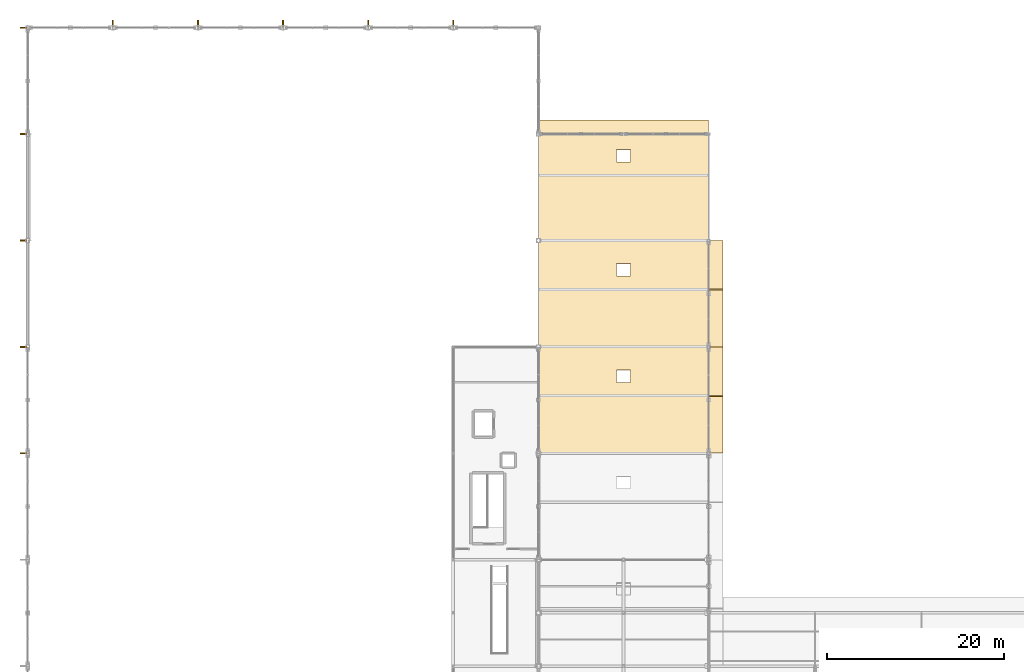
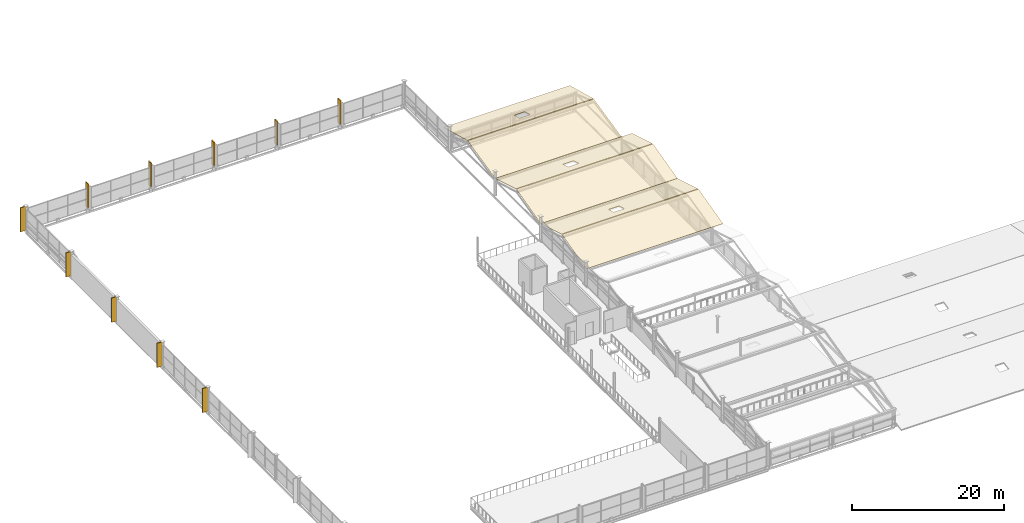
# One storey, part 116 of 117: 16 coverings.
"""IFC4 building model written with IfcOpenShell, lengths in metres."""

from ifc_helpers import new_model, si_unit, direction, frame, origin, place, context, subcontext, project, spatial, polyline, outline, extrude, material, layer, layer_set, type_object, element, save


model = new_model("IFC4")

# Units and contexts
model_context = context("Model", 3, precision=1e-05, world=origin(), true_north=direction((0.0, 1.0)))
body_context = subcontext(model_context, "Body", "Model", "MODEL_VIEW")
ifc_project = project(units=[si_unit("LENGTHUNIT", "METRE"), si_unit("AREAUNIT", "SQUARE_METRE"), si_unit("VOLUMEUNIT", "CUBIC_METRE"), si_unit("PLANEANGLEUNIT", "RADIAN"), si_unit("MASSUNIT", "GRAM", prefix="KILO")], contexts=[model_context])

# Site, building, storey
site_placement = place(None, origin())
site = spatial("IfcSite", under=ifc_project, at=site_placement, CompositionType="ELEMENT")
building_placement = place(site_placement, origin())
building = spatial("IfcBuilding", under=site, at=building_placement, Name="Merenkruunu Market Hall", CompositionType="ELEMENT")
storey_placement = place(building_placement, frame((0.0, 0.0, 10.199951171875)))
storey = spatial("IfcBuildingStorey", under=building, at=storey_placement, Name="L02", CompositionType="ELEMENT", Elevation=10.199951171875)

# Coverings
ifc_material_1 = material(Name="Precast concrete C40/50", Category="concrete")
ifc_layer_1 = layer(ifc_material_1, 0.139892578125)
ifc_layer_set_1 = layer_set([ifc_layer_1], Name="Precast concrete C40/50")
covering_type_1 = type_object("IfcCoveringType", Name="Architectural Precast Sun Fin CLD02", PredefinedType="CLADDING", material=ifc_layer_set_1)
covering_1_placement = place(storey_placement, origin())
element("IfcCovering", 1, at=covering_1_placement, inside=storey, type_object=covering_type_1, Name="FIN-W-L02-015", PredefinedType="CLADDING", context=body_context, shape_type="SweptSolid", body=[
    extrude(outline(polyline([(-0.8701171875, 63.530029296875), (-0.14794921875, 63.530029296875), (-0.14794921875, 63.669921875), (-0.8701171875, 63.669921875), (-0.8701171875, 63.530029296875)])), origin(), (0.0, 0.0, 1.0), 3.900146484375),
])
covering_2_placement = place(storey_placement, origin())
element("IfcCovering", 2, at=covering_2_placement, inside=storey, type_object=covering_type_1, Name="FIN-W-L02-018", PredefinedType="CLADDING", context=body_context, shape_type="SweptSolid", body=[
    extrude(outline(polyline([(-0.8701171875, 75.530029296875), (-0.14794921875, 75.530029296875), (-0.14794921875, 75.669921875), (-0.8701171875, 75.669921875), (-0.8701171875, 75.530029296875)])), origin(), (0.0, 0.0, 1.0), 3.900146484375),
])
covering_3_placement = place(storey_placement, origin())
element("IfcCovering", 3, at=covering_3_placement, inside=storey, type_object=covering_type_1, Name="FIN-W-L02-021", PredefinedType="CLADDING", context=body_context, shape_type="SweptSolid", body=[
    extrude(outline(polyline([(-0.8701171875, 87.530029296875), (-0.14794921875, 87.530029296875), (-0.14794921875, 87.669921875), (-0.8701171875, 87.669921875), (-0.8701171875, 87.530029296875)])), origin(), (0.0, 0.0, 1.0), 3.900146484375),
])
covering_4_placement = place(storey_placement, origin())
element("IfcCovering", 4, at=covering_4_placement, inside=storey, type_object=covering_type_1, Name="FIN-W-L02-024", PredefinedType="CLADDING", context=body_context, shape_type="SweptSolid", body=[
    extrude(outline(polyline([(-0.8701171875, 99.530029296875), (-0.14794921875, 99.530029296875), (-0.14794921875, 99.669921875), (-0.8701171875, 99.669921875), (-0.8701171875, 99.530029296875)])), origin(), (0.0, 0.0, 1.0), 3.900146484375),
])
covering_5_placement = place(storey_placement, origin())
element("IfcCovering", 5, at=covering_5_placement, inside=storey, type_object=covering_type_1, Name="FIN-W-L02-027", PredefinedType="CLADDING", context=body_context, shape_type="SweptSolid", body=[
    extrude(outline(polyline([(-0.8701171875, 111.530029296875), (-0.14794921875, 111.530029296875), (-0.14794921875, 111.669921875), (-0.8701171875, 111.669921875), (-0.8701171875, 111.530029296875)])), origin(), (0.0, 0.0, 1.0), 3.900146484375),
])
covering_6_placement = place(storey_placement, origin())
element("IfcCovering", 6, at=covering_6_placement, inside=storey, type_object=covering_type_1, Name="FIN-N-L02-032", PredefinedType="CLADDING", context=body_context, shape_type="SweptSolid", body=[
    extrude(outline(polyline([(9.530029296875, 111.748046875), (9.669921875, 111.748046875), (9.669921875, 112.469970703125), (9.530029296875, 112.469970703125), (9.530029296875, 111.748046875)])), origin(), (0.0, 0.0, 1.0), 3.900146484375),
])
covering_7_placement = place(storey_placement, origin())
element("IfcCovering", 7, at=covering_7_placement, inside=storey, type_object=covering_type_1, Name="FIN-N-L02-037", PredefinedType="CLADDING", context=body_context, shape_type="SweptSolid", body=[
    extrude(outline(polyline([(19.1298828125, 111.748046875), (19.27001953125, 111.748046875), (19.27001953125, 112.469970703125), (19.1298828125, 112.469970703125), (19.1298828125, 111.748046875)])), origin(), (0.0, 0.0, 1.0), 3.900146484375),
])
covering_8_placement = place(storey_placement, origin())
element("IfcCovering", 8, at=covering_8_placement, inside=storey, type_object=covering_type_1, Name="FIN-N-L02-042", PredefinedType="CLADDING", context=body_context, shape_type="SweptSolid", body=[
    extrude(outline(polyline([(28.72998046875, 111.748046875), (28.8701171875, 111.748046875), (28.8701171875, 112.469970703125), (28.72998046875, 112.469970703125), (28.72998046875, 111.748046875)])), origin(), (0.0, 0.0, 1.0), 3.900146484375),
])
covering_9_placement = place(storey_placement, origin())
element("IfcCovering", 9, at=covering_9_placement, inside=storey, type_object=covering_type_1, Name="FIN-N-L02-047", PredefinedType="CLADDING", context=body_context, shape_type="SweptSolid", body=[
    extrude(outline(polyline([(38.330078125, 111.748046875), (38.469970703125, 111.748046875), (38.469970703125, 112.469970703125), (38.330078125, 112.469970703125), (38.330078125, 111.748046875)])), origin(), (0.0, 0.0, 1.0), 3.900146484375),
])
covering_10_placement = place(storey_placement, origin())
element("IfcCovering", 10, at=covering_10_placement, inside=storey, type_object=covering_type_1, Name="FIN-N-L02-052", PredefinedType="CLADDING", context=body_context, shape_type="SweptSolid", body=[
    extrude(outline(polyline([(47.929931640625, 111.748046875), (48.070068359375, 111.748046875), (48.070068359375, 112.469970703125), (47.929931640625, 112.469970703125), (47.929931640625, 111.748046875)])), origin(), (0.0, 0.0, 1.0), 3.900146484375),
])
ifc_material_2 = material(Name="High-albedo white steel roof cladding", Category="steel")
ifc_layer_2 = layer(ifc_material_2, 0.080078125)
ifc_layer_set_2 = layer_set([ifc_layer_2], Name="High-albedo white steel roof cladding")
covering_type_2 = type_object("IfcCoveringType", Name="Insulated White Diamond Roof Panel RFG01", PredefinedType="ROOFING", material=ifc_layer_set_2)
covering_11_placement = place(storey_placement, frame((57.60009765625, 63.60986328125, 2.67822265625), z_axis=(0.0, -0.248908770435, 0.968526935093), x_axis=(1.0, 0.0, 0.0)))
element("IfcCovering", 11, at=covering_11_placement, inside=storey, type_object=covering_type_2, Name="COV-SLRF-017", PredefinedType="ROOFING", context=body_context, shape_type="SweptSolid", body=[
    extrude(outline(polyline([(0.0, 0.0), (20.7998046875, 0.0), (20.7998046875, 6.628542420850549), (0.0, 6.628542420850549), (0.0, 0.0)])), origin(), (0.0, 0.0, -1.0), 0.080078125),
])
covering_12_placement = place(storey_placement, frame((57.60009765625, 70.13330078125, 4.3271484375), z_axis=(0.0, 0.289263634629, 0.957249470975), x_axis=(1.0, 0.0, 0.0)))
element("IfcCovering", 12, at=covering_12_placement, inside=storey, type_object=covering_type_2, Name="COV-SLRF-018", PredefinedType="ROOFING", context=body_context, shape_type="SweptSolid", body=[
    extrude(outline(polyline([(0.0, 0.0), (20.7998046875, 0.0), (20.7998046875, 5.7038014677000834), (0.0, 5.7038014677000834), (0.0, 0.0)]), holes=[polyline([(8.7998046875, 1.535588285187606), (10.39990234375, 1.535588285187606), (10.39990234375, 2.998263967524421), (8.7998046875, 2.998263967524421), (8.7998046875, 1.535588285187606)])]), origin(), (0.0, 0.0, -1.0), 0.080078125),
])
covering_13_placement = place(storey_placement, frame((57.60009765625, 75.60986328125, 2.67822265625), z_axis=(0.0, -0.248908770435, 0.968526935093), x_axis=(1.0, 0.0, 0.0)))
element("IfcCovering", 13, at=covering_13_placement, inside=storey, type_object=covering_type_2, Name="COV-SLRF-019", PredefinedType="ROOFING", context=body_context, shape_type="SweptSolid", body=[
    extrude(outline(polyline([(0.0, 0.0), (20.7998046875, 0.0), (20.7998046875, 6.628542420850549), (0.0, 6.628542420850549), (0.0, 0.0)])), origin(), (0.0, 0.0, -1.0), 0.080078125),
])
covering_14_placement = place(storey_placement, frame((57.60009765625, 82.13330078125, 4.3271484375), z_axis=(0.0, 0.289263634629, 0.957249470975), x_axis=(1.0, 0.0, 0.0)))
element("IfcCovering", 14, at=covering_14_placement, inside=storey, type_object=covering_type_2, Name="COV-SLRF-020", PredefinedType="ROOFING", context=body_context, shape_type="SweptSolid", body=[
    extrude(outline(polyline([(0.0, 0.0), (20.7998046875, 0.0), (20.7998046875, 5.7038014677000834), (0.0, 5.7038014677000834), (0.0, 0.0)]), holes=[polyline([(8.7998046875, 1.535588285187606), (10.39990234375, 1.535588285187606), (10.39990234375, 2.998263967524421), (8.7998046875, 2.998263967524421), (8.7998046875, 1.535588285187606)])]), origin(), (0.0, 0.0, -1.0), 0.080078125),
])
covering_15_placement = place(storey_placement, frame((57.60009765625, 87.6123046875, 2.6787109375), z_axis=(0.0, -0.220916004558, 0.975292837526), x_axis=(1.0, 0.0, 0.0)))
element("IfcCovering", 15, at=covering_15_placement, inside=storey, type_object=covering_type_2, Name="COV-SLRF-021", PredefinedType="ROOFING", context=body_context, shape_type="SweptSolid", body=[
    extrude(outline(polyline([(0.0, 0.0), (19.199951171875, 0.0), (19.199951171875, 7.468460001562634), (0.0, 7.468460001562634), (0.0, 0.0)])), origin(), (0.0, 0.0, -1.0), 0.080078125),
])
covering_16_placement = place(storey_placement, frame((57.60009765625, 94.99462890625, 4.327880859375), z_axis=(0.0, 0.257316633525, 0.966327144455), x_axis=(1.0, 0.0, 0.0)))
element("IfcCovering", 16, at=covering_16_placement, inside=storey, type_object=covering_type_2, Name="COV-SLRF-022", PredefinedType="ROOFING", context=body_context, shape_type="SweptSolid", body=[
    extrude(outline(polyline([(0.0, 0.0), (19.199951171875, 0.0), (19.199951171875, 6.411953713011715), (0.0, 6.411953713011715), (0.0, 0.0)]), holes=[polyline([(8.7998046875, 1.5211753662858014), (10.39990234375, 1.5211753662858014), (10.39990234375, 2.9701032649294765), (8.7998046875, 2.9701032649294765), (8.7998046875, 1.5211753662858014)])]), origin(), (0.0, 0.0, -1.0), 0.080078125),
])

save(model, "model.ifc")
